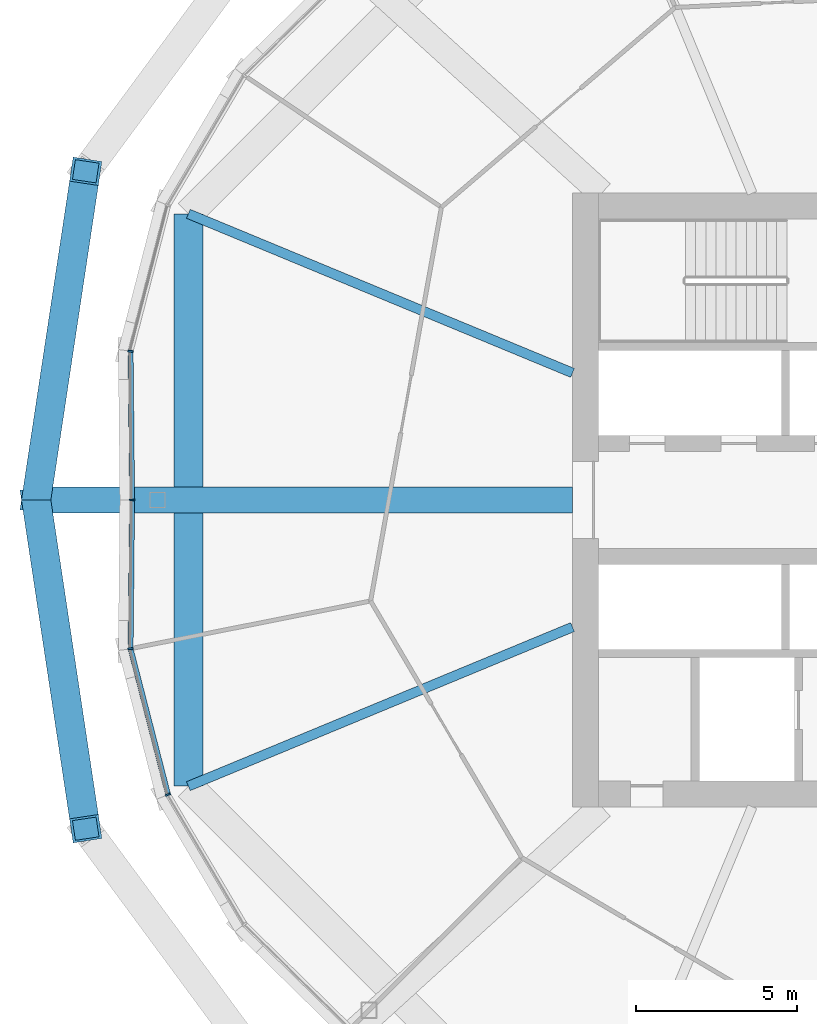
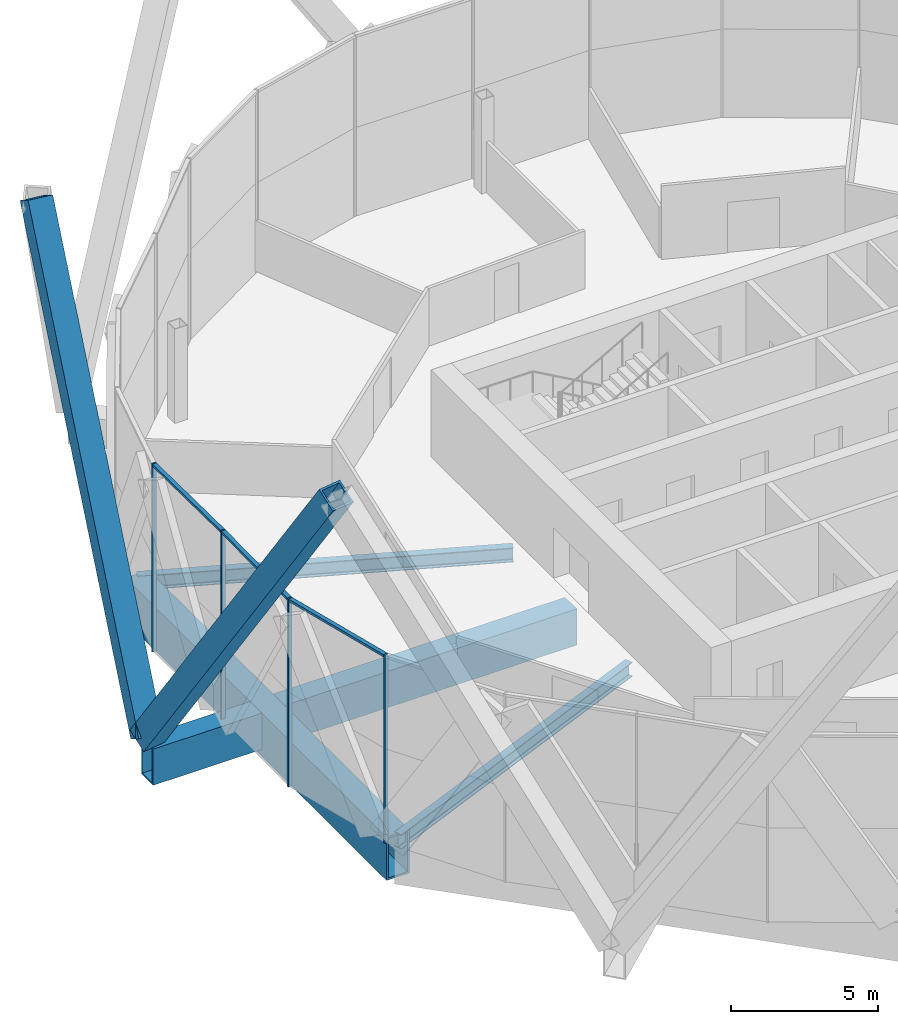
# One storey, part 5 of 28: 9 members, 4 beams, 2 elements without a shape of their own.
"""IFC4 building model written with IfcOpenShell, lengths in metres."""

from ifc_helpers import new_model, si_unit, direction, frame, origin, origin_2d, place, context, subcontext, project, spatial, rectangle, hollow_rectangle, i_section, extrude, material, material_profile, profile_set, type_object, element, aggregate, save


model = new_model("IFC4")

# Units and contexts
model_context = context("Model", 3, precision=1e-05, world=origin(), true_north=direction((0.0, 1.0)))
body_context = subcontext(model_context, "Body", "Model", "MODEL_VIEW")
ifc_project = project(units=[si_unit("LENGTHUNIT", "METRE"), si_unit("AREAUNIT", "SQUARE_METRE"), si_unit("VOLUMEUNIT", "CUBIC_METRE"), si_unit("PLANEANGLEUNIT", "RADIAN"), si_unit("MASSUNIT", "GRAM", prefix="KILO")], contexts=[model_context])

# Site, building, storey
site_placement = place(None, origin())
site = spatial("IfcSite", under=ifc_project, at=site_placement, CompositionType="ELEMENT")
building_placement = place(site_placement, origin())
building = spatial("IfcBuilding", under=site, at=building_placement, Name="Ogive Gate Towers", CompositionType="ELEMENT")
storey_placement = place(building_placement, frame((0.0, 0.0, 115.199951171875)))
storey = spatial("IfcBuildingStorey", under=building, at=storey_placement, Name="L27", CompositionType="ELEMENT", Elevation=115.199951171875)

# Members
ifc_material_1 = material(Name="Steel SM460", Category="steel")
ifc_material_profile_1 = material_profile(ifc_material_1, hollow_rectangle(XDim=0.89990234375, YDim=0.89990234375, WallThickness=0.080078125, at=origin_2d()), Name="BX 900x900x80")
ifc_profile_set_1 = profile_set([ifc_material_profile_1], Name="Steel SM460")
member_type_1 = type_object("IfcMemberType", Name="Diagrid diagonal BX 900x900x80", PredefinedType="BRACE", material=ifc_profile_set_1)
for number, where, z_axis, x_axis, name in (
    (1, (-62.110107421875, 0.0, 0.0), (0.082121961007, 0.544627829519, 0.834647536889), (-0.988822121876, 0.149100004323, 0.0), "T1/L27/SDG009"),
    (2, (-62.110107421875, 0.0, 0.0), (0.082121961007, -0.544627829519, 0.834647536889), (0.988822121876, 0.149100004323, 0.0), "T1/L27/SDG010"),
):
    element("IfcMember", number, at=place(storey_placement, frame(where, z_axis=z_axis, x_axis=x_axis)), inside=storey, type_object=member_type_1, Name=name, PredefinedType="BRACE", context=body_context, shape_type="SweptSolid", body=[
        extrude(hollow_rectangle(XDim=0.89990234375, YDim=0.89990234375, WallThickness=0.080078125, at=origin_2d()), origin(), (0.0, 0.0, 1.0), 18.690673828125),
    ])

# Beams
ifc_material_profile_2 = material_profile(ifc_material_1, hollow_rectangle(XDim=0.89990234375, YDim=1.800048828125, WallThickness=0.080078125, at=origin_2d()), Name="BX 1800x900x80")
ifc_profile_set_2 = profile_set([ifc_material_profile_2], Name="Steel SM460")
beam_type_1 = type_object("IfcBeamType", Name="Edge girder BX 1800x900x80", PredefinedType="BEAM", material=ifc_profile_set_2)
beam_1_placement = place(storey_placement, frame((-57.39697265625, 8.863037109375, -1.199951171875), z_axis=(0.0, -1.0, 0.0), x_axis=(1.0, 0.0, 0.0)))
element("IfcBeam", 3, at=beam_1_placement, inside=storey, type_object=beam_type_1, Name="T1/L27/SBM024", PredefinedType="BEAM", context=body_context, shape_type="SweptSolid", body=[
    extrude(hollow_rectangle(XDim=0.89990234375, YDim=1.800048828125, WallThickness=0.080078125, at=origin_2d()), origin(), (0.0, 0.0, 1.0), 17.72607421875),
])
ifc_material_2 = material(Name="Steel SM355", Category="steel")
ifc_material_profile_3 = material_profile(ifc_material_2, i_section(OverallWidth=0.300048828125, OverallDepth=0.590087890625, WebThickness=0.012939453125, FlangeThickness=0.02490234375, FilletRadius=0.027099609375, at=origin_2d()), Name="HE 600 A")
ifc_profile_set_3 = profile_set([ifc_material_profile_3], Name="Steel SM355")
beam_type_2 = type_object("IfcBeamType", Name="Radial floor beam HE 600 A", PredefinedType="BEAM", material=ifc_profile_set_3)
for number, where, z_axis, x_axis, name in (
    (4, (-45.5, -3.93505859375, -0.594970703125), (-0.923877031545, -0.382689470177, 0.0), (0.382689470177, -0.923877031545, 0.0), "T1/L27/SBM001"),
    (5, (-45.5, 3.93505859375, -0.594970703125), (-0.923877031545, 0.382689470177, 0.0), (-0.382689470177, -0.923877031545, 0.0), "T1/L27/SBM015"),
):
    element("IfcBeam", number, at=place(storey_placement, frame(where, z_axis=z_axis, x_axis=x_axis)), inside=storey, type_object=beam_type_2, Name=name, PredefinedType="BEAM", context=body_context, shape_type="SweptSolid", body=[
        extrude(i_section(OverallWidth=0.300048828125, OverallDepth=0.590087890625, WebThickness=0.012939453125, FlangeThickness=0.02490234375, FilletRadius=0.027099609375, at=origin_2d()), origin(), (0.0, 0.0, 1.0), 12.877197265625),
    ])

# Curtain wall, members
ifc_material_3 = material(Name="Pale metal aluminium", Category="aluminium")
curtain_wall_type = type_object("IfcCurtainWallType", Name="Tower unitised wall, low zone", PredefinedType="NOTDEFINED", material=ifc_material_3)
curtain_wall_1_placement = place(storey_placement, origin())
curtain_wall_1 = element("IfcCurtainWall", 6, at=curtain_wall_1_placement, inside=storey, type_object=curtain_wall_type, Name="CW1 T1 ECW04", PredefinedType="NOTDEFINED")
ifc_material_profile_4 = material_profile(ifc_material_3, rectangle(XDim=0.159912109375, YDim=0.06005859375, at=origin_2d()), Name="60 x 160 aluminium box")
ifc_profile_set_4 = profile_set([ifc_material_profile_4], Name="Pale metal aluminium")
member_type_2 = type_object("IfcMemberType", Name="Tower unitised wall, low zone mullion 60 x 160", PredefinedType="MULLION", material=ifc_profile_set_4)
member_1_placement = place(storey_placement, frame((-59.1875, 4.606201171875, -0.300048828125), z_axis=(0.0, 0.0, 1.0), x_axis=(-0.992727957326, 0.120379411626, 0.0)))
member_1 = element("IfcMember", 7, at=member_1_placement, type_object=member_type_2, Name="CW1 mullion", PredefinedType="MULLION", context=body_context, shape_type="SweptSolid", body=[
    extrude(rectangle(XDim=0.159912109375, YDim=0.06005859375, at=origin_2d()), origin(), (0.0, 0.0, 1.0), 7.800048828125),
])
member_2_placement = place(storey_placement, frame((-59.139892578125, 0.000244140625, -0.300048828125), z_axis=(0.0, 0.0, 1.0), x_axis=(-0.999947161375, -0.010279808233, 0.0)))
member_2 = element("IfcMember", 8, at=member_2_placement, type_object=member_type_2, Name="CW1 mullion", PredefinedType="MULLION", context=body_context, shape_type="SweptSolid", body=[
    extrude(rectangle(XDim=0.159912109375, YDim=0.06005859375, at=origin_2d()), origin(), (0.0, 0.0, 1.0), 7.800048828125),
])

curtain_wall_2_placement = place(storey_placement, origin())
curtain_wall_2 = element("IfcCurtainWall", 9, at=curtain_wall_2_placement, inside=storey, type_object=curtain_wall_type, Name="CW1 T1 ECW05", PredefinedType="NOTDEFINED")
member_3_placement = place(storey_placement, frame((-59.1875, -4.606201171875, -0.300048828125), z_axis=(0.0, 0.0, 1.0), x_axis=(-0.992727957326, -0.120379411626, 0.0)))
member_3 = element("IfcMember", 10, at=member_3_placement, type_object=member_type_2, Name="CW1 mullion", PredefinedType="MULLION", context=body_context, shape_type="SweptSolid", body=[
    extrude(rectangle(XDim=0.159912109375, YDim=0.06005859375, at=origin_2d()), origin(), (0.0, 0.0, 1.0), 7.800048828125),
])
member_4_placement = place(storey_placement, frame((-58.026123046875, -9.12353515625, -0.300048828125), z_axis=(0.0, 0.0, 1.0), x_axis=(-0.923879532511, -0.382683432365, 0.0)))
member_4 = element("IfcMember", 11, at=member_4_placement, type_object=member_type_2, Name="CW1 mullion", PredefinedType="MULLION", context=body_context, shape_type="SweptSolid", body=[
    extrude(rectangle(XDim=0.159912109375, YDim=0.06005859375, at=origin_2d()), origin(), (0.0, 0.0, 1.0), 7.800048828125),
])

# Member
ifc_material_profile_5 = material_profile(ifc_material_3, rectangle(XDim=0.159912109375, YDim=0.10009765625, at=origin_2d()), Name="100 x 160 aluminium box")
ifc_profile_set_5 = profile_set([ifc_material_profile_5], Name="Pale metal aluminium")
member_type_3 = type_object("IfcMemberType", Name="Tower unitised wall, low zone transom 100 x 160", PredefinedType="USERDEFINED", material=ifc_profile_set_5)
member_5_placement = place(storey_placement, frame((-59.18701171875, 4.57861328125, 7.449951171875), z_axis=(0.010251742504, -0.999947449507, 0.0), x_axis=(0.999947449507, 0.010251742504, 0.0)))
member_5 = element("IfcMember", 12, at=member_5_placement, type_object=member_type_3, Name="CW1 transom", ObjectType="TRANSOM", PredefinedType="USERDEFINED", context=body_context, shape_type="SweptSolid", body=[
    extrude(rectangle(XDim=0.159912109375, YDim=0.10009765625, at=origin_2d()), origin(), (0.0, 0.0, 1.0), 4.548583984375),
])

aggregate(curtain_wall_1, [member_1, member_2, member_5])

member_6_placement = place(storey_placement, frame((-59.140380859375, -0.0302734375, 7.449951171875), z_axis=(-0.010251742504, -0.999947449507, 0.0), x_axis=(0.999947449507, -0.010251742504, 0.0)))
member_6 = element("IfcMember", 13, at=member_6_placement, type_object=member_type_3, Name="CW1 transom", ObjectType="TRANSOM", PredefinedType="USERDEFINED", context=body_context, shape_type="SweptSolid", body=[
    extrude(rectangle(XDim=0.159912109375, YDim=0.10009765625, at=origin_2d()), origin(), (0.0, 0.0, 1.0), 4.548583984375),
])

member_7_placement = place(storey_placement, frame((-59.1806640625, -4.632568359375, 7.449951171875), z_axis=(0.249022588577, -0.968497677012, 0.0), x_axis=(0.968497677012, 0.249022588577, 0.0)))
member_7 = element("IfcMember", 14, at=member_7_placement, type_object=member_type_3, Name="CW1 transom", ObjectType="TRANSOM", PredefinedType="USERDEFINED", context=body_context, shape_type="SweptSolid", body=[
    extrude(rectangle(XDim=0.159912109375, YDim=0.10009765625, at=origin_2d()), origin(), (0.0, 0.0, 1.0), 4.60986328125),
])

aggregate(curtain_wall_2, [member_3, member_6, member_4, member_7])

# Beam
ifc_material_profile_6 = material_profile(ifc_material_1, hollow_rectangle(XDim=0.800048828125, YDim=1.5, WallThickness=0.06005859375, at=origin_2d()), Name="BX 1500x800x60")
ifc_profile_set_6 = profile_set([ifc_material_profile_6], Name="Steel SM460")
beam_type_3 = type_object("IfcBeamType", Name="Transfer radial beam BX 1500x800x60", PredefinedType="BEAM", material=ifc_profile_set_6)
beam_2_placement = place(storey_placement, frame((-45.5, 0.0, -1.050048828125), z_axis=(-1.0, 0.0, 0.0), x_axis=(0.0, -1.0, 0.0)))
element("IfcBeam", 15, at=beam_2_placement, inside=storey, type_object=beam_type_3, Name="T1/L27/SBM016", PredefinedType="BEAM", context=body_context, shape_type="SweptSolid", body=[
    extrude(hollow_rectangle(XDim=0.800048828125, YDim=1.5, WallThickness=0.06005859375, at=origin_2d()), origin(), (0.0, 0.0, 1.0), 16.610107421875),
])

save(model, "model.ifc")
